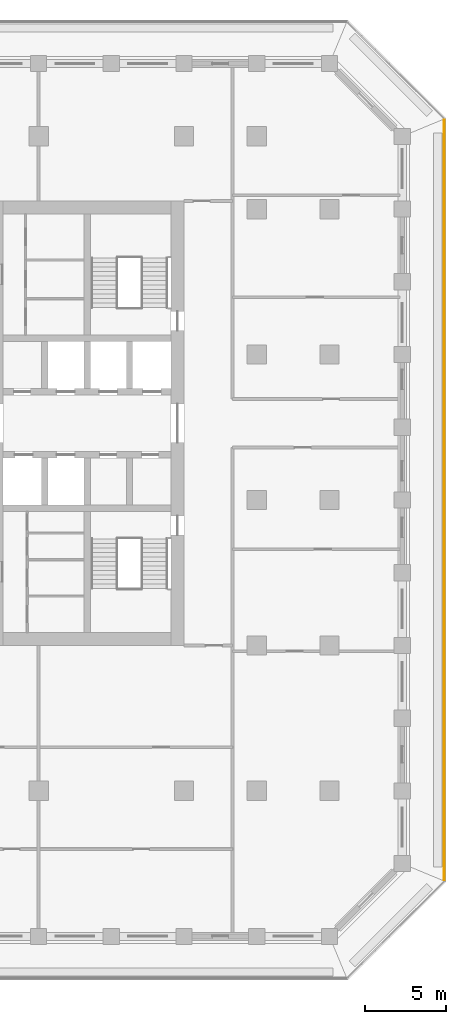
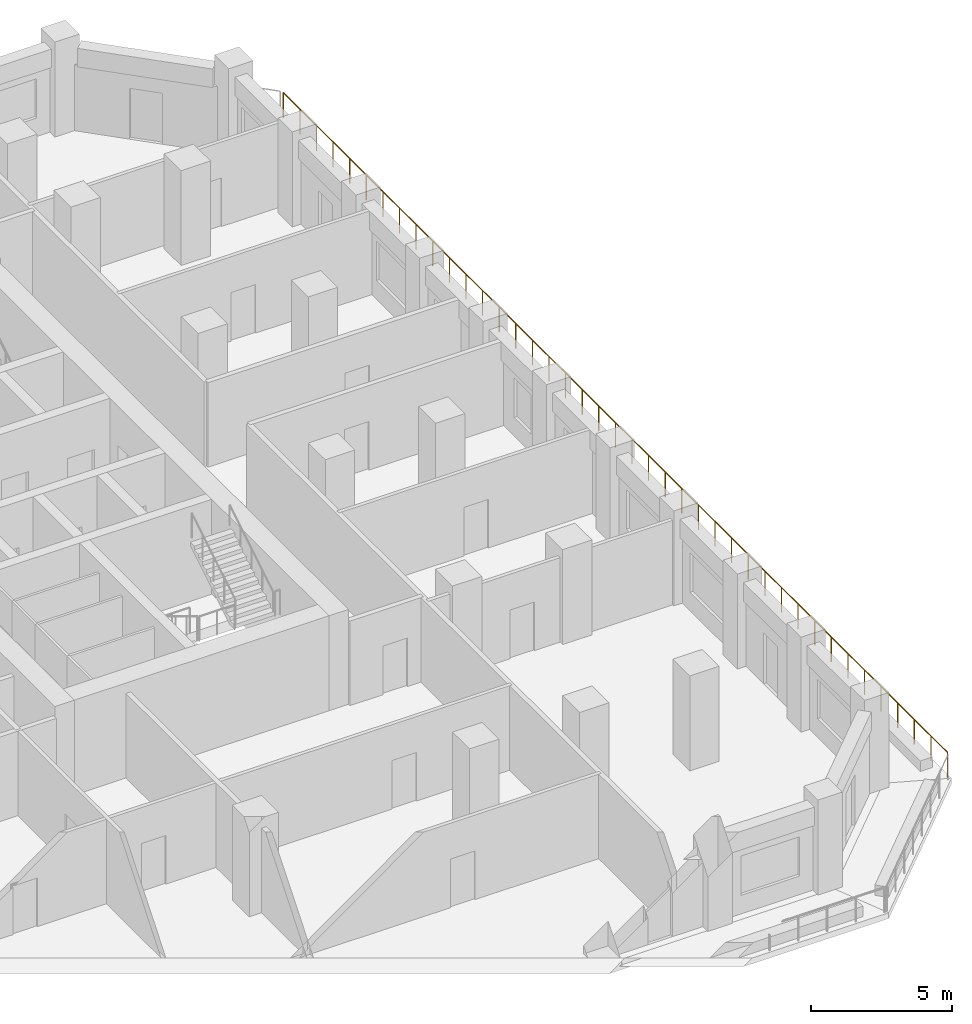
# One storey, part 12 of 16: 1 railing.
"""IFC4 building model written with IfcOpenShell, lengths in metres."""

import ifcopenshell
import ifcopenshell.guid

model = None  # the IFC model being written
_history = None  # IfcOwnerHistory: only IFC2X3 demands one
_inside = {}  # id of a spatial element -> (the spatial element, [elements in it])
_under = {}  # id of a project, library or spatial element -> (it, [spatial elements below it])
_declared = {}  # id of a project -> (the project, [libraries it declares])
_typed = {}  # id of a type object -> (the type object, [elements of that type])
_made_of = {}  # id of a material, layer set ... -> (it, [elements and type objects made of it])


def new_model(schema):
    """Start an empty IFC model of exactly this schema.

    Asked for "IFC4X3", IfcOpenShell would pick the latest addendum, in which some entities
    have other attributes; the version numbers below select the first issue.
    IFC2X3 requires an IfcOwnerHistory on every rooted entity: one is made here for all.
    """
    global model, _history
    if schema == "IFC4X3":
        model = ifcopenshell.file(schema_version=(4, 3, 0, 0))
    else:
        model = ifcopenshell.file(schema=schema)
    _inside.clear()
    _under.clear()
    _declared.clear()
    _typed.clear()
    _made_of.clear()
    _history = None
    if model.schema == "IFC2X3":
        org = make("IfcOrganization", Name="unknown")
        user = make(
            "IfcPersonAndOrganization",
            ThePerson=make("IfcPerson", FamilyName="unknown"),
            TheOrganization=org,
        )
        app = make(
            "IfcApplication",
            ApplicationDeveloper=org,
            Version="unknown",
            ApplicationFullName="unknown",
            ApplicationIdentifier="unknown",
        )
        _history = make(
            "IfcOwnerHistory",
            OwningUser=user,
            OwningApplication=app,
            ChangeAction="ADDED",
            CreationDate=0,
        )
    return model


def make(cls, **values):
    """One entity of the class cls with the attributes given. An attribute that is None is left unset."""
    return model.create_entity(
        cls, **{name: value for name, value in values.items() if value is not None}
    )


def rooted(cls, **values):
    """An entity with a GlobalId (a new one), such as an element, a storey or a relation."""
    return make(cls, GlobalId=ifcopenshell.guid.new(), OwnerHistory=_history, **values)


def si_unit(unit_type, name, prefix=None):
    """IfcSIUnit, for example si_unit("LENGTHUNIT", "METRE", prefix="MILLI")."""
    return make("IfcSIUnit", UnitType=unit_type, Prefix=prefix, Name=name)


def assignment(units):
    """IfcUnitAssignment: the units of a project."""
    return None if units is None else make("IfcUnitAssignment", Units=units)


def point(xyz):
    """IfcCartesianPoint."""
    return None if xyz is None else make("IfcCartesianPoint", Coordinates=xyz)


def direction(xyz):
    """IfcDirection."""
    return None if xyz is None else make("IfcDirection", DirectionRatios=xyz)


def frame(location, z_axis=None, x_axis=None):
    """IfcAxis2Placement3D, a coordinate frame: its origin and axes. An axis left out is left unset."""
    return make(
        "IfcAxis2Placement3D",
        Location=point(location),
        Axis=direction(z_axis),
        RefDirection=direction(x_axis),
    )


def frame_2d(location, x_axis=None):
    """IfcAxis2Placement2D, a coordinate frame in the plane: its origin and x axis."""
    return make(
        "IfcAxis2Placement2D", Location=point(location), RefDirection=direction(x_axis)
    )


def origin():
    """The frame at (0, 0, 0) with its axes left unset."""
    return frame((0.0, 0.0, 0.0))


def origin_2d():
    """The frame at (0, 0) in the plane with its x axis left unset."""
    return frame_2d((0.0, 0.0))


def place(relative_to, where):
    """IfcLocalPlacement: puts the frame where relative to a parent placement (None: the world)."""
    return make(
        "IfcLocalPlacement", PlacementRelTo=relative_to, RelativePlacement=where
    )


def context(
    kind, dimensions, precision=None, world=None, true_north=None, identifier=None
):
    """IfcGeometricRepresentationContext, for example the 3D "Model" context."""
    return make(
        "IfcGeometricRepresentationContext",
        ContextIdentifier=identifier,
        ContextType=kind,
        CoordinateSpaceDimension=dimensions,
        Precision=precision,
        WorldCoordinateSystem=world,
        TrueNorth=true_north,
    )


def subcontext(parent, identifier, kind, view, scale=None):
    """IfcGeometricRepresentationSubContext, for example "Body" below "Model"."""
    return make(
        "IfcGeometricRepresentationSubContext",
        ContextIdentifier=identifier,
        ContextType=kind,
        ParentContext=parent,
        TargetScale=scale,
        TargetView=view,
    )


def project(units=None, contexts=None):
    """IfcProject with its units and contexts."""
    return rooted(
        "IfcProject",
        Name="project",
        RepresentationContexts=contexts,
        UnitsInContext=assignment(units),
    )


def spatial(cls, under=None, at=None, **own):
    """A site, building, storey or space (cls), placed at a placement, below another one or the project."""
    s = rooted(cls, ObjectPlacement=at, **own)
    if under is not None:
        _under.setdefault(under.id(), (under, []))[1].append(s)
    return s


def profile(cls, at=None, kind="AREA", **sizes):
    """A parametric profile (cls). Its sizes go by their IFC names, for example OverallWidth=200.0."""
    return make(cls, ProfileType=kind, Position=at, **sizes)


def circle(**sizes):
    """IfcCircleProfileDef."""
    return profile("IfcCircleProfileDef", **sizes)


def extrude(swept, where, along, depth):
    """IfcExtrudedAreaSolid: the profile swept, set in the frame where, extruded along a direction by depth."""
    return make(
        "IfcExtrudedAreaSolid",
        SweptArea=swept,
        Position=where,
        ExtrudedDirection=direction(along),
        Depth=depth,
    )


def shape(context_of_items, identifier, shape_type, items):
    """IfcShapeRepresentation: the items that make up one representation, for example the "Body"."""
    return make(
        "IfcShapeRepresentation",
        ContextOfItems=context_of_items,
        RepresentationIdentifier=identifier,
        RepresentationType=shape_type,
        Items=items,
    )


def material(Name=None, Category=None):
    """IfcMaterial."""
    return make("IfcMaterial", Name=Name, Category=Category)


def made_of(thing, what):
    """Note that an element or type object is made of a material, layer set ...; save() writes the relation."""
    if what is not None:
        _made_of.setdefault(what.id(), (what, []))[1].append(thing)
    return thing


def type_object(cls, material=None, **own):
    """A type object (cls), such as IfcWallType, which elements share."""
    return made_of(rooted(cls, **own), material)


def element(
    cls,
    number,
    at=None,
    inside=None,
    cuts=None,
    type_object=None,
    material=None,
    context=None,
    identifier="Body",
    shape_type=None,
    held_by="IfcProductDefinitionShape",
    body=None,
    shapes=None,
    **own,
):
    """One element of the class cls, such as IfcWall. Its Tag is "e" and its number.

    at: its placement. inside: the storey or other place that contains it. cuts: it is an
    opening in that element (IfcRelVoidsElement). A single representation is given by context,
    identifier, shape_type and body (its items); several are given by shapes. held_by: the class
    of the entity that holds the representations. save() writes the other relations.
    """
    e = rooted(cls, Tag="e%d" % number, ObjectPlacement=at, **own)
    if body is not None:
        shapes = [shape(context, identifier, shape_type, body)]
    if shapes is not None:
        e.Representation = make(held_by, Representations=shapes)
    if inside is not None:
        _inside.setdefault(inside.id(), (inside, []))[1].append(e)
    if cuts is not None:
        rooted(
            "IfcRelVoidsElement", RelatingBuildingElement=cuts, RelatedOpeningElement=e
        )
    if type_object is not None:
        _typed.setdefault(type_object.id(), (type_object, []))[1].append(e)
    return made_of(e, material)


def aggregate(whole, parts):
    """IfcRelAggregates: a whole, such as a stair, and the parts it consists of."""
    return rooted("IfcRelAggregates", RelatingObject=whole, RelatedObjects=parts)


def save(model, path):
    """Write the relations noted so far, then the file.

    IfcRelAggregates (storeys below a building ...), IfcRelContainedInSpatialStructure (elements
    in a storey), IfcRelDefinesByType, IfcRelAssociatesMaterial and IfcRelDeclares: one each for
    every whole, place, type object, material and project.
    """
    for whole, parts in _under.values():
        aggregate(whole, parts)
    for where, things in _inside.values():
        rooted(
            "IfcRelContainedInSpatialStructure",
            RelatedElements=things,
            RelatingStructure=where,
        )
    for kind, things in _typed.values():
        rooted("IfcRelDefinesByType", RelatedObjects=things, RelatingType=kind)
    for what, things in _made_of.values():
        rooted("IfcRelAssociatesMaterial", RelatedObjects=things, RelatingMaterial=what)
    for by, libraries in _declared.values():
        rooted("IfcRelDeclares", RelatingContext=by, RelatedDefinitions=libraries)
    model.write(path)


model = new_model("IFC4")

# Units and contexts
model_context = context("Model", 3, precision=1e-05, world=origin(), true_north=direction((0.0, 1.0)))
body_context = subcontext(model_context, "Body", "Model", "MODEL_VIEW")
ifc_project = project(units=[si_unit("LENGTHUNIT", "METRE"), si_unit("AREAUNIT", "SQUARE_METRE"), si_unit("VOLUMEUNIT", "CUBIC_METRE"), si_unit("PLANEANGLEUNIT", "RADIAN"), si_unit("MASSUNIT", "GRAM", prefix="KILO")], contexts=[model_context])

# Site, building, storey
site_placement = place(None, origin())
site = spatial("IfcSite", under=ifc_project, at=site_placement, CompositionType="ELEMENT")
building_placement = place(site_placement, origin())
building = spatial("IfcBuilding", under=site, at=building_placement, Name="Corbel Stack Research Tower", CompositionType="ELEMENT")
storey_placement = place(building_placement, frame((0.0, 0.0, 203.800048828125)))
storey = spatial("IfcBuildingStorey", under=building, at=storey_placement, Name="L46", CompositionType="ELEMENT", Elevation=203.800048828125)

# Railing
ifc_material = material(Name="Powder-coated steel guard", Category="steel")
railing_type = type_object("IfcRailingType", Name="Steel and glass guard 1100", PredefinedType="GUARDRAIL", material=ifc_material)
railing_placement = place(storey_placement, frame((34.10009765625, -23.50537109375, 0.0)))
element("IfcRailing", 1, at=railing_placement, inside=storey, type_object=railing_type, Name="Loggia guard L46 E", PredefinedType="GUARDRAIL", context=body_context, shape_type="SweptSolid", body=[
    extrude(circle(Radius=0.02392578125, at=origin_2d()), frame((0.0, 0.0, 1.076171875), z_axis=(0.0, 1.0, 0.0), x_axis=(-1.0, 0.0, 0.0)), (0.0, 0.0, 1.0), 47.0107421875),
    extrude(circle(Radius=0.02099609375, at=origin_2d()), origin(), (0.0, 0.0, 1.0), 1.052001953125),
    extrude(circle(Radius=0.02099609375, at=origin_2d()), frame((0.0, 1.17529296875, 0.0)), (0.0, 0.0, 1.0), 1.052001953125),
    extrude(circle(Radius=0.02099609375, at=origin_2d()), frame((0.0, 2.3505859375, 0.0)), (0.0, 0.0, 1.0), 1.052001953125),
    extrude(circle(Radius=0.02099609375, at=origin_2d()), frame((0.0, 3.52587890625, 0.0)), (0.0, 0.0, 1.0), 1.052001953125),
    extrude(circle(Radius=0.02099609375, at=origin_2d()), frame((0.0, 4.701171875, 0.0)), (0.0, 0.0, 1.0), 1.052001953125),
    extrude(circle(Radius=0.02099609375, at=origin_2d()), frame((0.0, 5.87646484375, 0.0)), (0.0, 0.0, 1.0), 1.052001953125),
    extrude(circle(Radius=0.02099609375, at=origin_2d()), frame((0.0, 7.051513671875, 0.0)), (0.0, 0.0, 1.0), 1.052001953125),
    extrude(circle(Radius=0.02099609375, at=origin_2d()), frame((0.0, 8.226806640625, 0.0)), (0.0, 0.0, 1.0), 1.052001953125),
    extrude(circle(Radius=0.02099609375, at=origin_2d()), frame((0.0, 9.402099609375, 0.0)), (0.0, 0.0, 1.0), 1.052001953125),
    extrude(circle(Radius=0.02099609375, at=origin_2d()), frame((0.0, 10.577392578125, 0.0)), (0.0, 0.0, 1.0), 1.052001953125),
    extrude(circle(Radius=0.02099609375, at=origin_2d()), frame((0.0, 11.752685546875, 0.0)), (0.0, 0.0, 1.0), 1.052001953125),
    extrude(circle(Radius=0.02099609375, at=origin_2d()), frame((0.0, 12.927978515625, 0.0)), (0.0, 0.0, 1.0), 1.052001953125),
    extrude(circle(Radius=0.02099609375, at=origin_2d()), frame((0.0, 14.103271484375, 0.0)), (0.0, 0.0, 1.0), 1.052001953125),
    extrude(circle(Radius=0.02099609375, at=origin_2d()), frame((0.0, 15.278564453125, 0.0)), (0.0, 0.0, 1.0), 1.052001953125),
    extrude(circle(Radius=0.02099609375, at=origin_2d()), frame((0.0, 16.453857421875, 0.0)), (0.0, 0.0, 1.0), 1.052001953125),
    extrude(circle(Radius=0.02099609375, at=origin_2d()), frame((0.0, 17.62890625, 0.0)), (0.0, 0.0, 1.0), 1.052001953125),
    extrude(circle(Radius=0.02099609375, at=origin_2d()), frame((0.0, 18.80419921875, 0.0)), (0.0, 0.0, 1.0), 1.052001953125),
    extrude(circle(Radius=0.02099609375, at=origin_2d()), frame((0.0, 19.9794921875, 0.0)), (0.0, 0.0, 1.0), 1.052001953125),
    extrude(circle(Radius=0.02099609375, at=origin_2d()), frame((0.0, 21.15478515625, 0.0)), (0.0, 0.0, 1.0), 1.052001953125),
    extrude(circle(Radius=0.02099609375, at=origin_2d()), frame((0.0, 22.330078125, 0.0)), (0.0, 0.0, 1.0), 1.052001953125),
    extrude(circle(Radius=0.02099609375, at=origin_2d()), frame((0.0, 23.50537109375, 0.0)), (0.0, 0.0, 1.0), 1.052001953125),
    extrude(circle(Radius=0.02099609375, at=origin_2d()), frame((0.0, 24.6806640625, 0.0)), (0.0, 0.0, 1.0), 1.052001953125),
    extrude(circle(Radius=0.02099609375, at=origin_2d()), frame((0.0, 25.85595703125, 0.0)), (0.0, 0.0, 1.0), 1.052001953125),
    extrude(circle(Radius=0.02099609375, at=origin_2d()), frame((0.0, 27.03125, 0.0)), (0.0, 0.0, 1.0), 1.052001953125),
    extrude(circle(Radius=0.02099609375, at=origin_2d()), frame((0.0, 28.20654296875, 0.0)), (0.0, 0.0, 1.0), 1.052001953125),
    extrude(circle(Radius=0.02099609375, at=origin_2d()), frame((0.0, 29.3818359375, 0.0)), (0.0, 0.0, 1.0), 1.052001953125),
    extrude(circle(Radius=0.02099609375, at=origin_2d()), frame((0.0, 30.556884765625, 0.0)), (0.0, 0.0, 1.0), 1.052001953125),
    extrude(circle(Radius=0.02099609375, at=origin_2d()), frame((0.0, 31.732177734375, 0.0)), (0.0, 0.0, 1.0), 1.052001953125),
    extrude(circle(Radius=0.02099609375, at=origin_2d()), frame((0.0, 32.907470703125, 0.0)), (0.0, 0.0, 1.0), 1.052001953125),
    extrude(circle(Radius=0.02099609375, at=origin_2d()), frame((0.0, 34.082763671875, 0.0)), (0.0, 0.0, 1.0), 1.052001953125),
    extrude(circle(Radius=0.02099609375, at=origin_2d()), frame((0.0, 35.258056640625, 0.0)), (0.0, 0.0, 1.0), 1.052001953125),
    extrude(circle(Radius=0.02099609375, at=origin_2d()), frame((0.0, 36.433349609375, 0.0)), (0.0, 0.0, 1.0), 1.052001953125),
    extrude(circle(Radius=0.02099609375, at=origin_2d()), frame((0.0, 37.608642578125, 0.0)), (0.0, 0.0, 1.0), 1.052001953125),
    extrude(circle(Radius=0.02099609375, at=origin_2d()), frame((0.0, 38.783935546875, 0.0)), (0.0, 0.0, 1.0), 1.052001953125),
    extrude(circle(Radius=0.02099609375, at=origin_2d()), frame((0.0, 39.959228515625, 0.0)), (0.0, 0.0, 1.0), 1.052001953125),
    extrude(circle(Radius=0.02099609375, at=origin_2d()), frame((0.0, 41.13427734375, 0.0)), (0.0, 0.0, 1.0), 1.052001953125),
    extrude(circle(Radius=0.02099609375, at=origin_2d()), frame((0.0, 42.3095703125, 0.0)), (0.0, 0.0, 1.0), 1.052001953125),
    extrude(circle(Radius=0.02099609375, at=origin_2d()), frame((0.0, 43.48486328125, 0.0)), (0.0, 0.0, 1.0), 1.052001953125),
    extrude(circle(Radius=0.02099609375, at=origin_2d()), frame((0.0, 44.66015625, 0.0)), (0.0, 0.0, 1.0), 1.052001953125),
    extrude(circle(Radius=0.02099609375, at=origin_2d()), frame((0.0, 45.83544921875, 0.0)), (0.0, 0.0, 1.0), 1.052001953125),
    extrude(circle(Radius=0.02099609375, at=origin_2d()), frame((0.0, 47.0107421875, 0.0)), (0.0, 0.0, 1.0), 1.052001953125),
])

save(model, "model.ifc")
